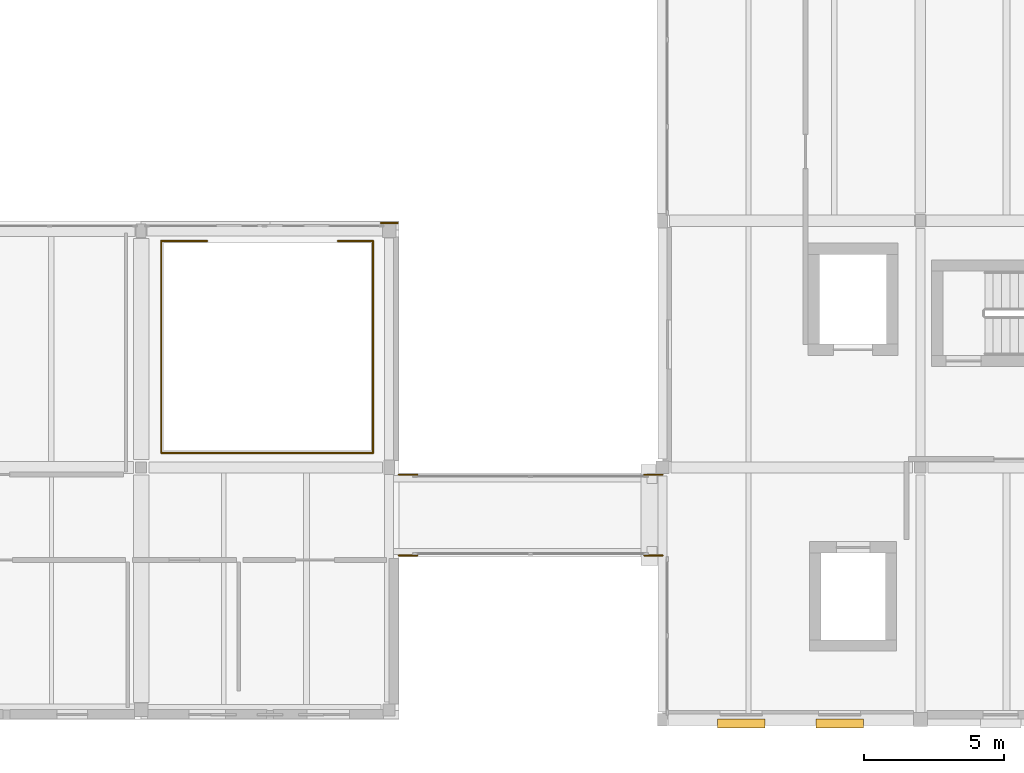
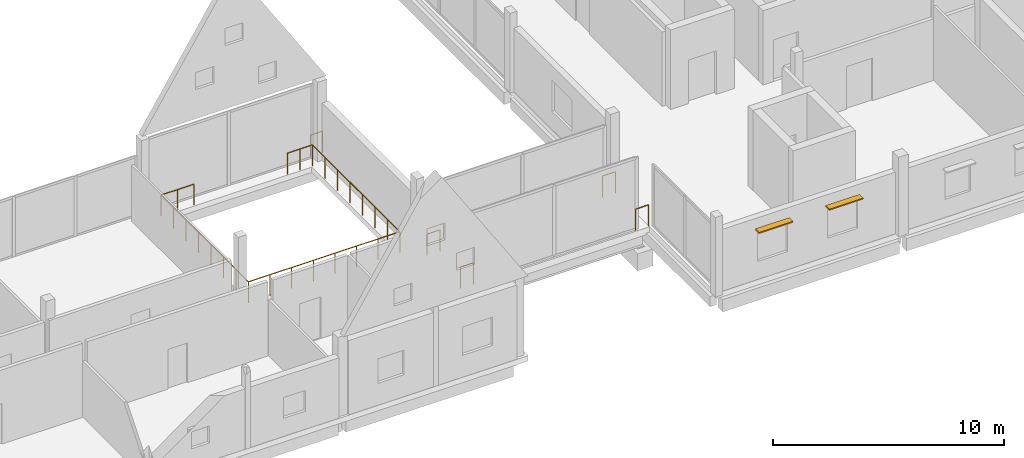
# One storey, part 31 of 35: 10 railings, 2 shading devices.
"""IFC4 building model written with IfcOpenShell, lengths in metres."""

from ifc_helpers import new_model, si_unit, direction, frame, origin, origin_2d, place, context, subcontext, project, spatial, rectangle, circle, extrude, material, type_object, element, save


model = new_model("IFC4")

# Units and contexts
model_context = context("Model", 3, precision=1e-05, world=origin(), true_north=direction((0.0, 1.0)))
body_context = subcontext(model_context, "Body", "Model", "MODEL_VIEW")
ifc_project = project(units=[si_unit("LENGTHUNIT", "METRE"), si_unit("AREAUNIT", "SQUARE_METRE"), si_unit("VOLUMEUNIT", "CUBIC_METRE"), si_unit("PLANEANGLEUNIT", "RADIAN"), si_unit("MASSUNIT", "GRAM", prefix="KILO")], contexts=[model_context])

# Site, building, storey
site_placement = place(None, origin())
site = spatial("IfcSite", under=ifc_project, at=site_placement, CompositionType="ELEMENT")
building_placement = place(site_placement, origin())
building = spatial("IfcBuilding", under=site, at=building_placement, Name="Birchvale Park Specialist Clinic", CompositionType="ELEMENT")
storey_placement = place(building_placement, frame((0.0, 0.0, 13.800048828125)))
storey = spatial("IfcBuildingStorey", under=building, at=storey_placement, Name="L03", CompositionType="ELEMENT", Elevation=13.800048828125)

# Railings
ifc_material_1 = material(Name="Brushed stainless steel and laminated glass balustrade", Category="steel")
railing_type_1 = type_object("IfcRailingType", Name="RL-BAL1", PredefinedType="BALUSTRADE", material=ifc_material_1)
railing_1_placement = place(storey_placement, frame((110.1201171875, 26.320068359375, 0.0)))
element("IfcRailing", 1, at=railing_1_placement, inside=storey, type_object=railing_type_1, Name="V4 L03 atrium void balustrade 34", PredefinedType="BALUSTRADE", context=body_context, shape_type="SweptSolid", body=[
    extrude(circle(Radius=0.02392578125, at=origin_2d()), frame((0.0, 0.0, 1.09619140625), z_axis=(1.0, 0.0, 0.0), x_axis=(0.0, 1.0, 0.0)), (0.0, 0.0, 1.0), 7.559814453125),
    extrude(circle(Radius=0.02099609375, at=origin_2d()), origin(), (0.0, 0.0, 1.0), 1.072021484375),
    extrude(circle(Radius=0.02099609375, at=origin_2d()), frame((1.080078125, 0.0, 0.0)), (0.0, 0.0, 1.0), 1.072021484375),
    extrude(circle(Radius=0.02099609375, at=origin_2d()), frame((2.159912109375, 0.0, 0.0)), (0.0, 0.0, 1.0), 1.072021484375),
    extrude(circle(Radius=0.02099609375, at=origin_2d()), frame((3.239990234375, 0.0, 0.0)), (0.0, 0.0, 1.0), 1.072021484375),
    extrude(circle(Radius=0.02099609375, at=origin_2d()), frame((4.31982421875, 0.0, 0.0)), (0.0, 0.0, 1.0), 1.072021484375),
    extrude(circle(Radius=0.02099609375, at=origin_2d()), frame((5.39990234375, 0.0, 0.0)), (0.0, 0.0, 1.0), 1.072021484375),
    extrude(circle(Radius=0.02099609375, at=origin_2d()), frame((6.479736328125, 0.0, 0.0)), (0.0, 0.0, 1.0), 1.072021484375),
    extrude(circle(Radius=0.02099609375, at=origin_2d()), frame((7.559814453125, 0.0, 0.0)), (0.0, 0.0, 1.0), 1.072021484375),
])
railing_2_placement = place(storey_placement, frame((117.679931640625, 26.320068359375, 0.0)))
element("IfcRailing", 2, at=railing_2_placement, inside=storey, type_object=railing_type_1, Name="V4 L03 atrium void balustrade 35", PredefinedType="BALUSTRADE", context=body_context, shape_type="SweptSolid", body=[
    extrude(circle(Radius=0.02392578125, at=origin_2d()), frame((0.0, 0.0, 1.09619140625), z_axis=(0.0, 1.0, 0.0), x_axis=(-1.0, 0.0, 0.0)), (0.0, 0.0, 1.0), 7.559814453125),
    extrude(circle(Radius=0.02099609375, at=origin_2d()), origin(), (0.0, 0.0, 1.0), 1.072021484375),
    extrude(circle(Radius=0.02099609375, at=origin_2d()), frame((0.0, 1.080078125, 0.0)), (0.0, 0.0, 1.0), 1.072021484375),
    extrude(circle(Radius=0.02099609375, at=origin_2d()), frame((0.0, 2.159912109375, 0.0)), (0.0, 0.0, 1.0), 1.072021484375),
    extrude(circle(Radius=0.02099609375, at=origin_2d()), frame((0.0, 3.239990234375, 0.0)), (0.0, 0.0, 1.0), 1.072021484375),
    extrude(circle(Radius=0.02099609375, at=origin_2d()), frame((0.0, 4.31982421875, 0.0)), (0.0, 0.0, 1.0), 1.072021484375),
    extrude(circle(Radius=0.02099609375, at=origin_2d()), frame((0.0, 5.39990234375, 0.0)), (0.0, 0.0, 1.0), 1.072021484375),
    extrude(circle(Radius=0.02099609375, at=origin_2d()), frame((0.0, 6.479736328125, 0.0)), (0.0, 0.0, 1.0), 1.072021484375),
    extrude(circle(Radius=0.02099609375, at=origin_2d()), frame((0.0, 7.559814453125, 0.0)), (0.0, 0.0, 1.0), 1.072021484375),
])
railing_3_placement = place(storey_placement, frame((117.679931640625, 33.8798828125, 0.0)))
element("IfcRailing", 3, at=railing_3_placement, inside=storey, type_object=railing_type_1, Name="V4 L03 atrium void balustrade 36", PredefinedType="BALUSTRADE", context=body_context, shape_type="SweptSolid", body=[
    extrude(circle(Radius=0.02392578125, at=origin_2d()), frame((0.0, 0.0, 1.09619140625), z_axis=(-1.0, 0.0, 0.0), x_axis=(0.0, -1.0, 0.0)), (0.0, 0.0, 1.0), 1.25390625),
    extrude(circle(Radius=0.02099609375, at=origin_2d()), origin(), (0.0, 0.0, 1.0), 1.072021484375),
    extrude(circle(Radius=0.02099609375, at=origin_2d()), frame((-0.626953125, 0.0, 0.0)), (0.0, 0.0, 1.0), 1.072021484375),
    extrude(circle(Radius=0.02099609375, at=origin_2d()), frame((-1.25390625, 0.0, 0.0)), (0.0, 0.0, 1.0), 1.072021484375),
])
railing_4_placement = place(storey_placement, frame((111.758056640625, 33.8798828125, 0.0)))
element("IfcRailing", 4, at=railing_4_placement, inside=storey, type_object=railing_type_1, Name="V4 L03 atrium void balustrade 37", PredefinedType="BALUSTRADE", context=body_context, shape_type="SweptSolid", body=[
    extrude(circle(Radius=0.02392578125, at=origin_2d()), frame((0.0, 0.0, 1.09619140625), z_axis=(-1.0, 0.0, 0.0), x_axis=(0.0, -1.0, 0.0)), (0.0, 0.0, 1.0), 1.637939453125),
    extrude(circle(Radius=0.02099609375, at=origin_2d()), origin(), (0.0, 0.0, 1.0), 1.072021484375),
    extrude(circle(Radius=0.02099609375, at=origin_2d()), frame((-0.81884765625, 0.0, 0.0)), (0.0, 0.0, 1.0), 1.072021484375),
    extrude(circle(Radius=0.02099609375, at=origin_2d()), frame((-1.637939453125, 0.0, 0.0)), (0.0, 0.0, 1.0), 1.072021484375),
])
railing_5_placement = place(storey_placement, frame((110.1201171875, 33.8798828125, 0.0)))
element("IfcRailing", 5, at=railing_5_placement, inside=storey, type_object=railing_type_1, Name="V4 L03 atrium void balustrade 38", PredefinedType="BALUSTRADE", context=body_context, shape_type="SweptSolid", body=[
    extrude(circle(Radius=0.02392578125, at=origin_2d()), frame((0.0, 0.0, 1.09619140625), z_axis=(0.0, -1.0, 0.0), x_axis=(1.0, 0.0, 0.0)), (0.0, 0.0, 1.0), 7.559814453125),
    extrude(circle(Radius=0.02099609375, at=origin_2d()), origin(), (0.0, 0.0, 1.0), 1.072021484375),
    extrude(circle(Radius=0.02099609375, at=origin_2d()), frame((0.0, -1.080078125, 0.0)), (0.0, 0.0, 1.0), 1.072021484375),
    extrude(circle(Radius=0.02099609375, at=origin_2d()), frame((0.0, -2.159912109375, 0.0)), (0.0, 0.0, 1.0), 1.072021484375),
    extrude(circle(Radius=0.02099609375, at=origin_2d()), frame((0.0, -3.239990234375, 0.0)), (0.0, 0.0, 1.0), 1.072021484375),
    extrude(circle(Radius=0.02099609375, at=origin_2d()), frame((0.0, -4.31982421875, 0.0)), (0.0, 0.0, 1.0), 1.072021484375),
    extrude(circle(Radius=0.02099609375, at=origin_2d()), frame((0.0, -5.39990234375, 0.0)), (0.0, 0.0, 1.0), 1.072021484375),
    extrude(circle(Radius=0.02099609375, at=origin_2d()), frame((0.0, -6.479736328125, 0.0)), (0.0, 0.0, 1.0), 1.072021484375),
    extrude(circle(Radius=0.02099609375, at=origin_2d()), frame((0.0, -7.559814453125, 0.0)), (0.0, 0.0, 1.0), 1.072021484375),
])
railing_type_2 = type_object("IfcRailingType", Name="RL-BAL2", PredefinedType="BALUSTRADE", material=ifc_material_1)
for number, where, name in (
    (6, (118.60009765625, 22.659912109375, 0.0), "L03 bridge end guard BRG-3.11"),
    (7, (127.35009765625, 22.659912109375, 0.0), "L03 bridge end guard BRG-3.12"),
    (8, (118.60009765625, 25.5400390625, 0.0), "L03 bridge end guard BRG-3.13"),
    (9, (127.35009765625, 25.5400390625, 0.0), "L03 bridge end guard BRG-3.14"),
):
    element("IfcRailing", number, at=place(storey_placement, frame(where)), inside=storey, type_object=railing_type_2, Name=name, PredefinedType="BALUSTRADE", context=body_context, shape_type="SweptSolid", body=[
        extrude(circle(Radius=0.02392578125, at=origin_2d()), frame((0.0, 0.0, 1.1259765625), z_axis=(1.0, 0.0, 0.0), x_axis=(0.0, 1.0, 0.0)), (0.0, 0.0, 1.0), 0.64990234375),
        extrude(circle(Radius=0.02099609375, at=origin_2d()), origin(), (0.0, 0.0, 1.0), 1.101806640625),
        extrude(circle(Radius=0.02099609375, at=origin_2d()), frame((0.64990234375, 0.0, 0.0)), (0.0, 0.0, 1.0), 1.101806640625),
    ])
railing_6_placement = place(storey_placement, frame((117.949951171875, 34.52001953125, 0.0)))
element("IfcRailing", 10, at=railing_6_placement, inside=storey, type_object=railing_type_2, Name="V4 L03 corner edge guard NE", PredefinedType="BALUSTRADE", context=body_context, shape_type="SweptSolid", body=[
    extrude(circle(Radius=0.02392578125, at=origin_2d()), frame((0.0, 0.0, 1.1259765625), z_axis=(1.0, 0.0, 0.0), x_axis=(0.0, 1.0, 0.0)), (0.0, 0.0, 1.0), 0.60009765625),
    extrude(circle(Radius=0.02099609375, at=origin_2d()), origin(), (0.0, 0.0, 1.0), 1.101806640625),
    extrude(circle(Radius=0.02099609375, at=origin_2d()), frame((0.60009765625, 0.0, 0.0)), (0.0, 0.0, 1.0), 1.101806640625),
])

# Shading devices
ifc_material_2 = material(Name="Nordic larch solar louvre")
shading_device_type = type_object("IfcShadingDeviceType", Name="SHD-LVR1", PredefinedType="JALOUSIE", material=ifc_material_2)
for number, where, z_axis, x_axis, name in (
    (11, (130.805419921875, 16.659912109375, 2.6474609375), (0.0, 0.0, 1.0), (1.0, 0.0, 0.0), "V5 L03 timber sun louvre 46"),
    (12, (134.319580078125, 16.659912109375, 2.6474609375), (0.0, 0.0, 1.0), (1.0, 0.0, 0.0), "V5 L03 timber sun louvre 47"),
):
    element("IfcShadingDevice", number, at=place(storey_placement, frame(where, z_axis=z_axis, x_axis=x_axis)), inside=storey, type_object=shading_device_type, Name=name, PredefinedType="JALOUSIE", context=body_context, shape_type="SweptSolid", body=[
        extrude(rectangle(XDim=1.699951171875, YDim=0.320068359375, at=origin_2d()), origin(), (0.0, 0.0, 1.0), 0.06494140625),
    ])

save(model, "model.ifc")
